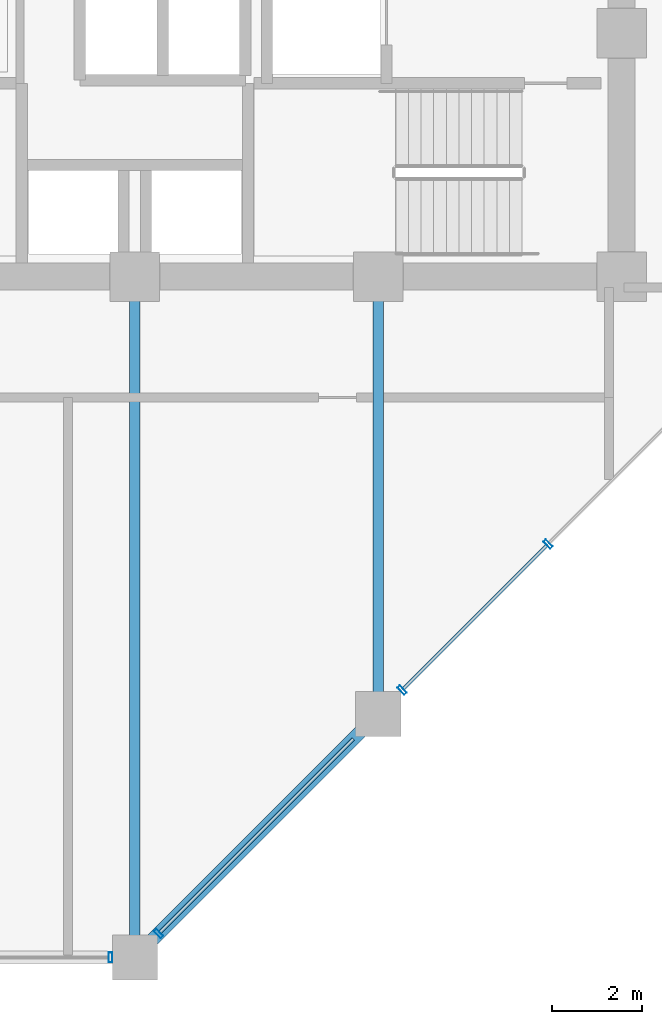
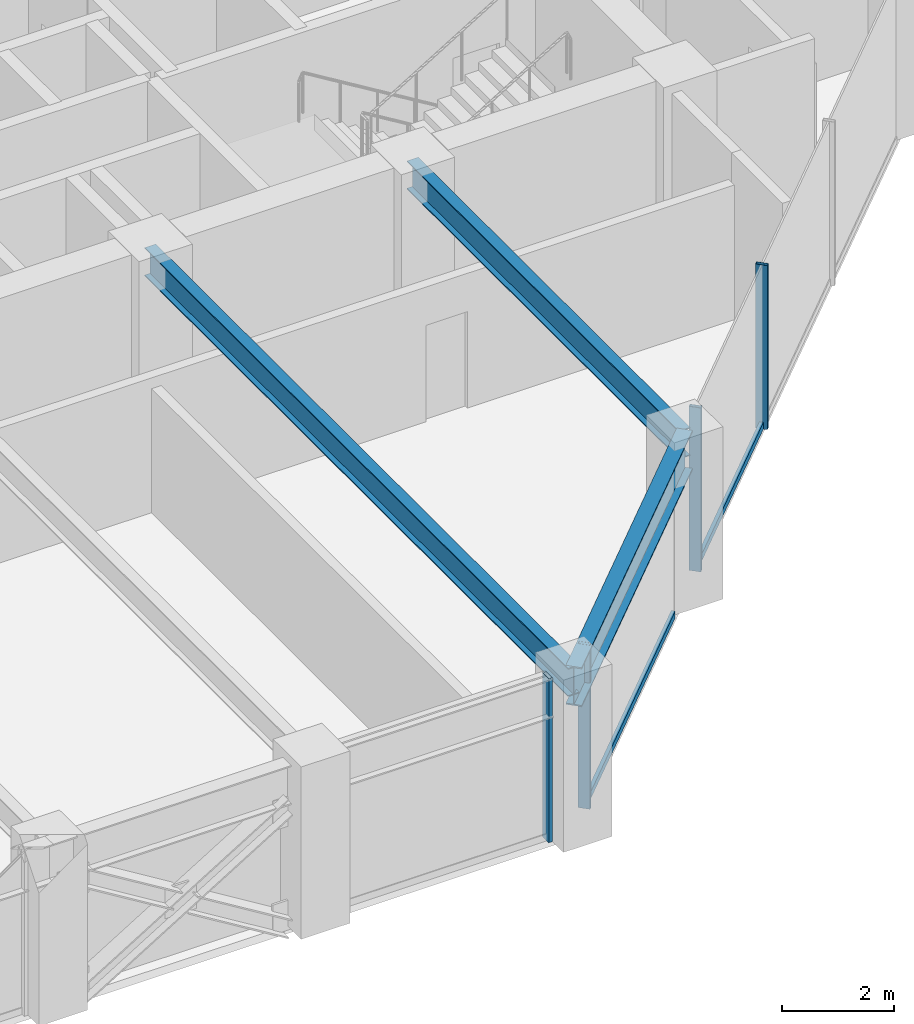
# One storey, part 7 of 29: 6 members, 3 beams, 2 elements without a shape of their own.
"""IFC4 building model written with IfcOpenShell, lengths in metres."""

from ifc_helpers import new_model, si_unit, direction, frame, origin, origin_2d, place, context, subcontext, project, spatial, hollow_rectangle, i_section, extrude, material, layer, layer_set, material_profile, profile_set, type_object, element, aggregate, save


model = new_model("IFC4")

# Units and contexts
model_context = context("Model", 3, precision=1e-05, world=origin(), true_north=direction((0.0, 1.0)))
body_context = subcontext(model_context, "Body", "Model", "MODEL_VIEW")
ifc_project = project(units=[si_unit("LENGTHUNIT", "METRE"), si_unit("AREAUNIT", "SQUARE_METRE"), si_unit("VOLUMEUNIT", "CUBIC_METRE"), si_unit("PLANEANGLEUNIT", "RADIAN"), si_unit("MASSUNIT", "GRAM", prefix="KILO")], contexts=[model_context])

# Site, building, storey
site_placement = place(None, origin())
site = spatial("IfcSite", under=ifc_project, at=site_placement, CompositionType="ELEMENT")
building_placement = place(site_placement, origin())
building = spatial("IfcBuilding", under=site, at=building_placement, Name="Surkhivell Harbour Commons", CompositionType="ELEMENT")
storey_placement = place(building_placement, frame((0.0, 0.0, 150.75)))
storey = spatial("IfcBuildingStorey", under=building, at=storey_placement, Name="L39", CompositionType="ELEMENT", Elevation=150.75)

# Beams
ifc_material_1 = material(Name="Steel S355", Category="steel")
ifc_material_profile_1 = material_profile(ifc_material_1, i_section(OverallWidth=0.22998046875, OverallDepth=0.616943359375, WebThickness=0.01318359375, FlangeThickness=0.022216796875, at=origin_2d()), Name="UB610x229x140")
ifc_profile_set_1 = profile_set([ifc_material_profile_1], Name="Steel S355")
beam_type_1 = type_object("IfcBeamType", Name="BM-GRD-610B", PredefinedType="BEAM", material=ifc_profile_set_1)
beam_1_placement = place(storey_placement, frame((0.0, -25.89990234375, 3.261474609375), z_axis=(0.0, 1.0, 0.0), x_axis=(-1.0, 0.0, 0.0)))
element("IfcBeam", 1, at=beam_1_placement, inside=storey, type_object=beam_type_1, Name="L39 Floor Girder (0.0,-25.9)", PredefinedType="BEAM", context=body_context, shape_type="SweptSolid", body=[
    extrude(i_section(OverallWidth=0.22998046875, OverallDepth=0.616943359375, WebThickness=0.01318359375, FlangeThickness=0.022216796875, at=origin_2d()), origin(), (0.0, 0.0, 1.0), 15.099853515625),
])
beam_2_placement = place(storey_placement, frame((5.39990234375, -20.5, 3.261474609375), z_axis=(0.0, 1.0, 0.0), x_axis=(-1.0, 0.0, 0.0)))
element("IfcBeam", 2, at=beam_2_placement, inside=storey, type_object=beam_type_1, Name="L39 Floor Girder (5.4,-20.5)", PredefinedType="BEAM", context=body_context, shape_type="SweptSolid", body=[
    extrude(i_section(OverallWidth=0.22998046875, OverallDepth=0.616943359375, WebThickness=0.01318359375, FlangeThickness=0.022216796875, at=origin_2d()), origin(), (0.0, 0.0, 1.0), 9.699951171875),
])
ifc_material_2 = material(Name="Steel S460", Category="steel")
ifc_material_profile_2 = material_profile(ifc_material_2, i_section(OverallWidth=0.2939453125, OverallDepth=0.85107421875, WebThickness=0.01611328125, FlangeThickness=0.02685546875, at=origin_2d()), Name="UB838x292x226")
ifc_profile_set_2 = profile_set([ifc_material_profile_2], Name="Steel S460")
beam_type_2 = type_object("IfcBeamType", Name="BM-SPN-838", PredefinedType="SPANDREL", material=ifc_profile_set_2)
beam_3_placement = place(storey_placement, frame((0.0, -25.89990234375, 3.14453125), z_axis=(0.707106781187, 0.707106781187, 0.0), x_axis=(-0.707106781187, 0.707106781187, 0.0)))
element("IfcBeam", 3, at=beam_3_placement, inside=storey, type_object=beam_type_2, Name="L39 Tube Spandrel (-0.0,-25.9)", PredefinedType="SPANDREL", context=body_context, shape_type="SweptSolid", body=[
    extrude(i_section(OverallWidth=0.2939453125, OverallDepth=0.85107421875, WebThickness=0.01611328125, FlangeThickness=0.02685546875, at=origin_2d()), origin(), (0.0, 0.0, 1.0), 7.63671875),
])

# Curtain wall, member
ifc_material_3 = material(Name="Anodised pale-metal aluminium and insulated glazing", Category="aluminium")
ifc_layer = layer(ifc_material_3, 0.205078125)
ifc_layer_set = layer_set([ifc_layer], Name="Anodised pale-metal aluminium and insulated glazing")
curtain_wall_type = type_object("IfcCurtainWallType", Name="CW-SYS-Z2", PredefinedType="NOTDEFINED", material=ifc_layer_set)
curtain_wall_1_placement = place(storey_placement, origin())
curtain_wall_1 = element("IfcCurtainWall", 4, at=curtain_wall_1_placement, inside=storey, type_object=curtain_wall_type, Name="L39 Curtain Wall CW-L39-E00S2", PredefinedType="NOTDEFINED")
ifc_material_4 = material(Name="Anodised pale-metal aluminium alloy 6063-T6", Category="aluminium")
ifc_material_profile_3 = material_profile(ifc_material_4, hollow_rectangle(XDim=0.074951171875, YDim=0.219970703125, WallThickness=0.00390625, at=origin_2d()), Name="ALU-MULL-75x220")
ifc_profile_set_3 = profile_set([ifc_material_profile_3], Name="Anodised pale-metal aluminium alloy 6063-T6")
member_type_1 = type_object("IfcMemberType", Name="CWM-220", PredefinedType="MULLION", material=ifc_profile_set_3)
member_1_placement = place(storey_placement, frame((-0.53955078125, -25.89990234375, 0.0), z_axis=(0.0, 0.0, 1.0), x_axis=(1.0, 0.0, 0.0)))
member_1 = element("IfcMember", 5, at=member_1_placement, type_object=member_type_1, Name="CW-Z2 mullion 2", PredefinedType="MULLION", context=body_context, shape_type="SweptSolid", body=[
    extrude(hollow_rectangle(XDim=0.074951171875, YDim=0.219970703125, WallThickness=0.00390625, at=origin_2d()), origin(), (0.0, 0.0, 1.0), 3.570068359375),
])
aggregate(curtain_wall_1, [member_1])

# Curtain wall, members
curtain_wall_2_placement = place(storey_placement, origin())
curtain_wall_2 = element("IfcCurtainWall", 6, at=curtain_wall_2_placement, inside=storey, type_object=curtain_wall_type, Name="L39 Curtain Wall CW-L39-E01", PredefinedType="NOTDEFINED")
member_2_placement = place(storey_placement, frame((0.5283203125, -25.371826171875, 0.0), z_axis=(0.0, 0.0, 1.0), x_axis=(0.707106781187, 0.707106781187, 0.0)))
member_2 = element("IfcMember", 7, at=member_2_placement, type_object=member_type_1, Name="CW-Z2 mullion 1", PredefinedType="MULLION", context=body_context, shape_type="SweptSolid", body=[
    extrude(hollow_rectangle(XDim=0.074951171875, YDim=0.219970703125, WallThickness=0.00390625, at=origin_2d()), origin(), (0.0, 0.0, 1.0), 3.570068359375),
])
member_3_placement = place(storey_placement, frame((5.92822265625, -19.9716796875, 0.0), z_axis=(0.0, 0.0, 1.0), x_axis=(0.707106781187, 0.707106781187, 0.0)))
member_3 = element("IfcMember", 8, at=member_3_placement, type_object=member_type_1, Name="CW-Z2 mullion 2", PredefinedType="MULLION", context=body_context, shape_type="SweptSolid", body=[
    extrude(hollow_rectangle(XDim=0.074951171875, YDim=0.219970703125, WallThickness=0.00390625, at=origin_2d()), origin(), (0.0, 0.0, 1.0), 3.570068359375),
])
member_4_placement = place(storey_placement, frame((9.167236328125, -16.732666015625, 0.0), z_axis=(0.0, 0.0, 1.0), x_axis=(0.707106781187, 0.707106781187, 0.0)))
member_4 = element("IfcMember", 9, at=member_4_placement, type_object=member_type_1, Name="CW-Z2 mullion 3", PredefinedType="MULLION", context=body_context, shape_type="SweptSolid", body=[
    extrude(hollow_rectangle(XDim=0.074951171875, YDim=0.219970703125, WallThickness=0.00390625, at=origin_2d()), origin(), (0.0, 0.0, 1.0), 3.570068359375),
])
ifc_material_profile_4 = material_profile(ifc_material_4, hollow_rectangle(XDim=0.074951171875, YDim=0.14990234375, WallThickness=0.00341796875, at=origin_2d()), Name="ALU-TRAN-75x150")
ifc_profile_set_4 = profile_set([ifc_material_profile_4], Name="Anodised pale-metal aluminium alloy 6063-T6")
member_type_2 = type_object("IfcMemberType", Name="CWT-150", PredefinedType="USERDEFINED", material=ifc_profile_set_4)
member_5_placement = place(storey_placement, frame((0.5546875, -25.34521484375, 0.074951171875), z_axis=(0.707106781187, 0.707106781187, 0.0), x_axis=(-0.707106781187, 0.707106781187, 0.0)))
member_5 = element("IfcMember", 10, at=member_5_placement, type_object=member_type_2, Name="CW-Z2 transom 1.1", ObjectType="TRANSOM", PredefinedType="USERDEFINED", context=body_context, shape_type="SweptSolid", body=[
    extrude(hollow_rectangle(XDim=0.074951171875, YDim=0.14990234375, WallThickness=0.00341796875, at=origin_2d()), origin(), (0.0, 0.0, 1.0), 6.067626953125),
])
member_6_placement = place(storey_placement, frame((5.954833984375, -19.9453125, 0.074951171875), z_axis=(0.707079687416, 0.707133873919, 0.0), x_axis=(-0.707133873919, 0.707079687416, 0.0)))
member_6 = element("IfcMember", 11, at=member_6_placement, type_object=member_type_2, Name="CW-Z2 transom 2.1", ObjectType="TRANSOM", PredefinedType="USERDEFINED", context=body_context, shape_type="SweptSolid", body=[
    extrude(hollow_rectangle(XDim=0.074951171875, YDim=0.14990234375, WallThickness=0.00341796875, at=origin_2d()), origin(), (0.0, 0.0, 1.0), 4.505615234375),
])
aggregate(curtain_wall_2, [member_2, member_5, member_3, member_4, member_6])

save(model, "model.ifc")
